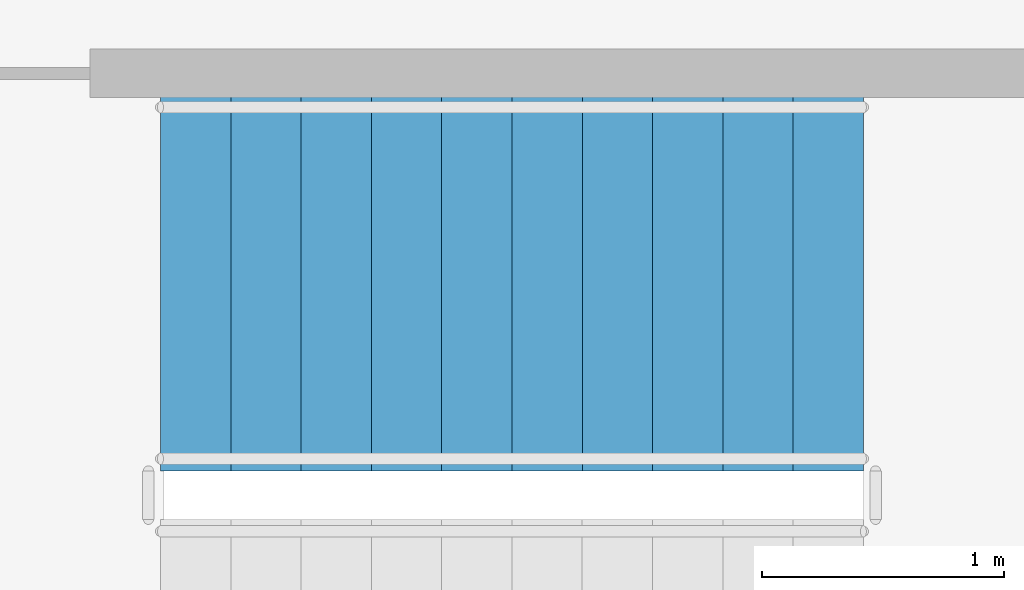
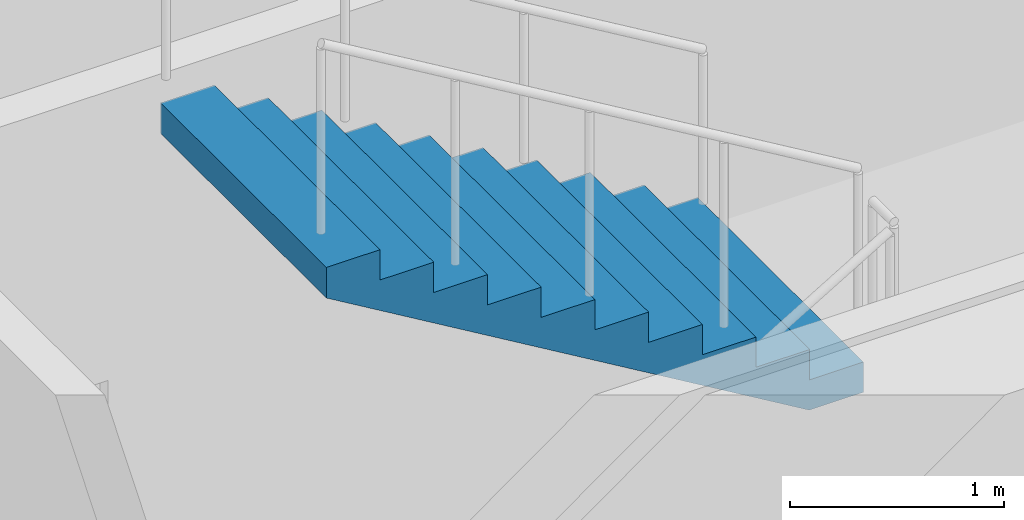
# One storey, part 16 of 20: 1 stair flight, 1 element without a shape of its own.
"""IFC4 building model written with IfcOpenShell, lengths in metres."""

import ifcopenshell
import ifcopenshell.guid

model = None  # the IFC model being written
_history = None  # IfcOwnerHistory: only IFC2X3 demands one
_inside = {}  # id of a spatial element -> (the spatial element, [elements in it])
_under = {}  # id of a project, library or spatial element -> (it, [spatial elements below it])
_declared = {}  # id of a project -> (the project, [libraries it declares])
_typed = {}  # id of a type object -> (the type object, [elements of that type])
_made_of = {}  # id of a material, layer set ... -> (it, [elements and type objects made of it])


def new_model(schema):
    """Start an empty IFC model of exactly this schema.

    Asked for "IFC4X3", IfcOpenShell would pick the latest addendum, in which some entities
    have other attributes; the version numbers below select the first issue.
    IFC2X3 requires an IfcOwnerHistory on every rooted entity: one is made here for all.
    """
    global model, _history
    if schema == "IFC4X3":
        model = ifcopenshell.file(schema_version=(4, 3, 0, 0))
    else:
        model = ifcopenshell.file(schema=schema)
    _inside.clear()
    _under.clear()
    _declared.clear()
    _typed.clear()
    _made_of.clear()
    _history = None
    if model.schema == "IFC2X3":
        org = make("IfcOrganization", Name="unknown")
        user = make(
            "IfcPersonAndOrganization",
            ThePerson=make("IfcPerson", FamilyName="unknown"),
            TheOrganization=org,
        )
        app = make(
            "IfcApplication",
            ApplicationDeveloper=org,
            Version="unknown",
            ApplicationFullName="unknown",
            ApplicationIdentifier="unknown",
        )
        _history = make(
            "IfcOwnerHistory",
            OwningUser=user,
            OwningApplication=app,
            ChangeAction="ADDED",
            CreationDate=0,
        )
    return model


def make(cls, **values):
    """One entity of the class cls with the attributes given. An attribute that is None is left unset."""
    return model.create_entity(
        cls, **{name: value for name, value in values.items() if value is not None}
    )


def rooted(cls, **values):
    """An entity with a GlobalId (a new one), such as an element, a storey or a relation."""
    return make(cls, GlobalId=ifcopenshell.guid.new(), OwnerHistory=_history, **values)


def si_unit(unit_type, name, prefix=None):
    """IfcSIUnit, for example si_unit("LENGTHUNIT", "METRE", prefix="MILLI")."""
    return make("IfcSIUnit", UnitType=unit_type, Prefix=prefix, Name=name)


def assignment(units):
    """IfcUnitAssignment: the units of a project."""
    return None if units is None else make("IfcUnitAssignment", Units=units)


def point(xyz):
    """IfcCartesianPoint."""
    return None if xyz is None else make("IfcCartesianPoint", Coordinates=xyz)


def direction(xyz):
    """IfcDirection."""
    return None if xyz is None else make("IfcDirection", DirectionRatios=xyz)


def frame(location, z_axis=None, x_axis=None):
    """IfcAxis2Placement3D, a coordinate frame: its origin and axes. An axis left out is left unset."""
    return make(
        "IfcAxis2Placement3D",
        Location=point(location),
        Axis=direction(z_axis),
        RefDirection=direction(x_axis),
    )


def origin():
    """The frame at (0, 0, 0) with its axes left unset."""
    return frame((0.0, 0.0, 0.0))


def place(relative_to, where):
    """IfcLocalPlacement: puts the frame where relative to a parent placement (None: the world)."""
    return make(
        "IfcLocalPlacement", PlacementRelTo=relative_to, RelativePlacement=where
    )


def context(
    kind, dimensions, precision=None, world=None, true_north=None, identifier=None
):
    """IfcGeometricRepresentationContext, for example the 3D "Model" context."""
    return make(
        "IfcGeometricRepresentationContext",
        ContextIdentifier=identifier,
        ContextType=kind,
        CoordinateSpaceDimension=dimensions,
        Precision=precision,
        WorldCoordinateSystem=world,
        TrueNorth=true_north,
    )


def subcontext(parent, identifier, kind, view, scale=None):
    """IfcGeometricRepresentationSubContext, for example "Body" below "Model"."""
    return make(
        "IfcGeometricRepresentationSubContext",
        ContextIdentifier=identifier,
        ContextType=kind,
        ParentContext=parent,
        TargetScale=scale,
        TargetView=view,
    )


def project(units=None, contexts=None):
    """IfcProject with its units and contexts."""
    return rooted(
        "IfcProject",
        Name="project",
        RepresentationContexts=contexts,
        UnitsInContext=assignment(units),
    )


def spatial(cls, under=None, at=None, **own):
    """A site, building, storey or space (cls), placed at a placement, below another one or the project."""
    s = rooted(cls, ObjectPlacement=at, **own)
    if under is not None:
        _under.setdefault(under.id(), (under, []))[1].append(s)
    return s


def polyline(points):
    """IfcPolyline through the points."""
    return make("IfcPolyline", Points=[point(p) for p in points])


def outline(outer, holes=None, kind="AREA"):
    """IfcArbitraryClosedProfileDef: a profile drawn as a closed curve; with holes, ...WithVoids."""
    if holes is None:
        return make("IfcArbitraryClosedProfileDef", ProfileType=kind, OuterCurve=outer)
    return make(
        "IfcArbitraryProfileDefWithVoids",
        ProfileType=kind,
        OuterCurve=outer,
        InnerCurves=holes,
    )


def extrude(swept, where, along, depth):
    """IfcExtrudedAreaSolid: the profile swept, set in the frame where, extruded along a direction by depth."""
    return make(
        "IfcExtrudedAreaSolid",
        SweptArea=swept,
        Position=where,
        ExtrudedDirection=direction(along),
        Depth=depth,
    )


def shape(context_of_items, identifier, shape_type, items):
    """IfcShapeRepresentation: the items that make up one representation, for example the "Body"."""
    return make(
        "IfcShapeRepresentation",
        ContextOfItems=context_of_items,
        RepresentationIdentifier=identifier,
        RepresentationType=shape_type,
        Items=items,
    )


def material(Name=None, Category=None):
    """IfcMaterial."""
    return make("IfcMaterial", Name=Name, Category=Category)


def made_of(thing, what):
    """Note that an element or type object is made of a material, layer set ...; save() writes the relation."""
    if what is not None:
        _made_of.setdefault(what.id(), (what, []))[1].append(thing)
    return thing


def type_object(cls, material=None, **own):
    """A type object (cls), such as IfcWallType, which elements share."""
    return made_of(rooted(cls, **own), material)


def element(
    cls,
    number,
    at=None,
    inside=None,
    cuts=None,
    type_object=None,
    material=None,
    context=None,
    identifier="Body",
    shape_type=None,
    held_by="IfcProductDefinitionShape",
    body=None,
    shapes=None,
    **own,
):
    """One element of the class cls, such as IfcWall. Its Tag is "e" and its number.

    at: its placement. inside: the storey or other place that contains it. cuts: it is an
    opening in that element (IfcRelVoidsElement). A single representation is given by context,
    identifier, shape_type and body (its items); several are given by shapes. held_by: the class
    of the entity that holds the representations. save() writes the other relations.
    """
    e = rooted(cls, Tag="e%d" % number, ObjectPlacement=at, **own)
    if body is not None:
        shapes = [shape(context, identifier, shape_type, body)]
    if shapes is not None:
        e.Representation = make(held_by, Representations=shapes)
    if inside is not None:
        _inside.setdefault(inside.id(), (inside, []))[1].append(e)
    if cuts is not None:
        rooted(
            "IfcRelVoidsElement", RelatingBuildingElement=cuts, RelatedOpeningElement=e
        )
    if type_object is not None:
        _typed.setdefault(type_object.id(), (type_object, []))[1].append(e)
    return made_of(e, material)


def aggregate(whole, parts):
    """IfcRelAggregates: a whole, such as a stair, and the parts it consists of."""
    return rooted("IfcRelAggregates", RelatingObject=whole, RelatedObjects=parts)


def save(model, path):
    """Write the relations noted so far, then the file.

    IfcRelAggregates (storeys below a building ...), IfcRelContainedInSpatialStructure (elements
    in a storey), IfcRelDefinesByType, IfcRelAssociatesMaterial and IfcRelDeclares: one each for
    every whole, place, type object, material and project.
    """
    for whole, parts in _under.values():
        aggregate(whole, parts)
    for where, things in _inside.values():
        rooted(
            "IfcRelContainedInSpatialStructure",
            RelatedElements=things,
            RelatingStructure=where,
        )
    for kind, things in _typed.values():
        rooted("IfcRelDefinesByType", RelatedObjects=things, RelatingType=kind)
    for what, things in _made_of.values():
        rooted("IfcRelAssociatesMaterial", RelatedObjects=things, RelatingMaterial=what)
    for by, libraries in _declared.values():
        rooted("IfcRelDeclares", RelatingContext=by, RelatedDefinitions=libraries)
    model.write(path)


model = new_model("IFC4")

# Units and contexts
model_context = context("Model", 3, precision=1e-05, world=origin(), true_north=direction((0.0, 1.0)))
body_context = subcontext(model_context, "Body", "Model", "MODEL_VIEW")
ifc_project = project(units=[si_unit("LENGTHUNIT", "METRE"), si_unit("AREAUNIT", "SQUARE_METRE"), si_unit("VOLUMEUNIT", "CUBIC_METRE"), si_unit("PLANEANGLEUNIT", "RADIAN"), si_unit("MASSUNIT", "GRAM", prefix="KILO")], contexts=[model_context])

# Site, building, storey
site_placement = place(None, origin())
site = spatial("IfcSite", under=ifc_project, at=site_placement, CompositionType="ELEMENT")
building_placement = place(site_placement, origin())
building = spatial("IfcBuilding", under=site, at=building_placement, Name="Putna Gate Headquarters", CompositionType="ELEMENT")
storey_placement = place(building_placement, frame((0.0, 0.0, 108.800048828125)))
storey = spatial("IfcBuildingStorey", under=building, at=storey_placement, Name="L26", CompositionType="ELEMENT", Elevation=108.800048828125)

# Stair, stair flight
ifc_material = material(Name="Concrete C40/50", Category="concrete")
stair_type = type_object("IfcStairType", Name="STAIR-ST2", PredefinedType="HALF_TURN_STAIR", material=ifc_material)
stair_placement = place(storey_placement, origin())
stair = element("IfcStair", 1, at=stair_placement, inside=storey, type_object=stair_type, Name="L26 East Core Exit Stair ST2", PredefinedType="HALF_TURN_STAIR")
stair_flight_type = type_object("IfcStairFlightType", Name="FLIGHT-ST2", PredefinedType="STRAIGHT", material=ifc_material)
stair_flight_placement = place(storey_placement, frame((60.800048828125, 22.125, 1.89990234375), z_axis=(0.0, 0.0, 1.0), x_axis=(-1.0, 0.0, 0.0)))
stair_flight = element("IfcStairFlight", 2, at=stair_flight_placement, type_object=stair_flight_type, Name="ST2 flight 2", NumberOfRisers=11, NumberOfTreads=10, PredefinedType="STRAIGHT", RiserHeight=0.172727273, TreadLength=0.29, context=body_context, shape_type="SweptSolid", body=[
    extrude(outline(polyline([(0.0, 0.0), (0.0, 0.172607421875), (0.2900390625, 0.172607421875), (0.2900390625, 0.345458984375), (0.580078125, 0.345458984375), (0.580078125, 0.51806640625), (0.8701171875, 0.51806640625), (0.8701171875, 0.69091796875), (1.159912109375, 0.69091796875), (1.159912109375, 0.863525390625), (1.449951171875, 0.863525390625), (1.449951171875, 1.036376953125), (1.739990234375, 1.036376953125), (1.739990234375, 1.208984375), (2.030029296875, 1.208984375), (2.030029296875, 1.3818359375), (2.320068359375, 1.3818359375), (2.320068359375, 1.554443359375), (2.610107421875, 1.554443359375), (2.610107421875, 1.727294921875), (2.89990234375, 1.727294921875), (2.89990234375, 1.89990234375), (2.89990234375, 1.552734375), (0.29296875, 0.0), (0.0, 0.0)])), frame((0.0, 0.77490234375, 0.0), z_axis=(0.0, -1.0, 0.0), x_axis=(1.0, 0.0, 0.0)), (0.0, 0.0, 1.0), 1.550048828125),
])
aggregate(stair, [stair_flight])

save(model, "model.ifc")
